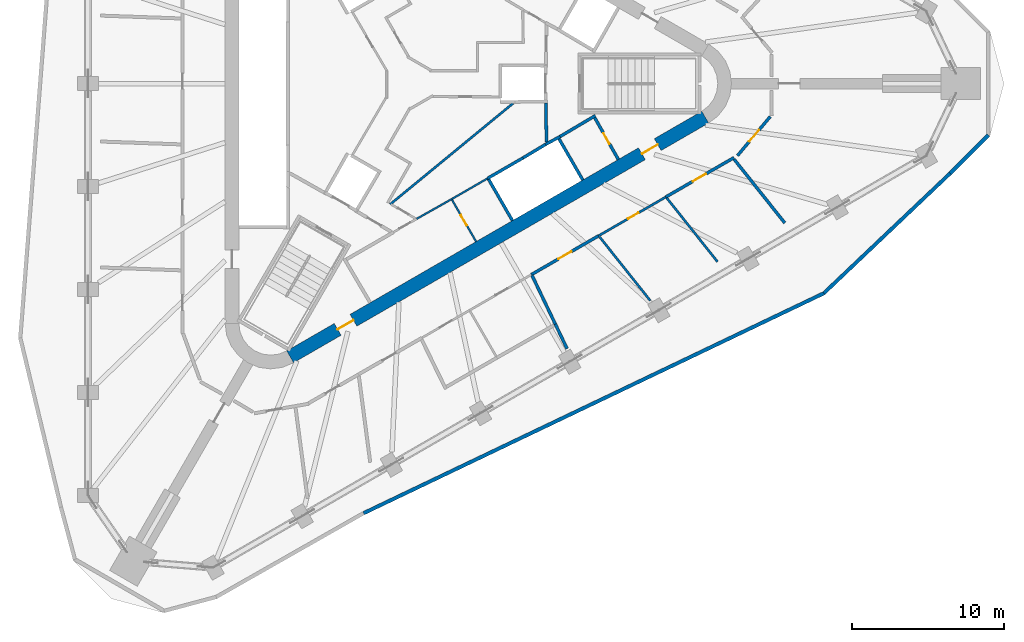
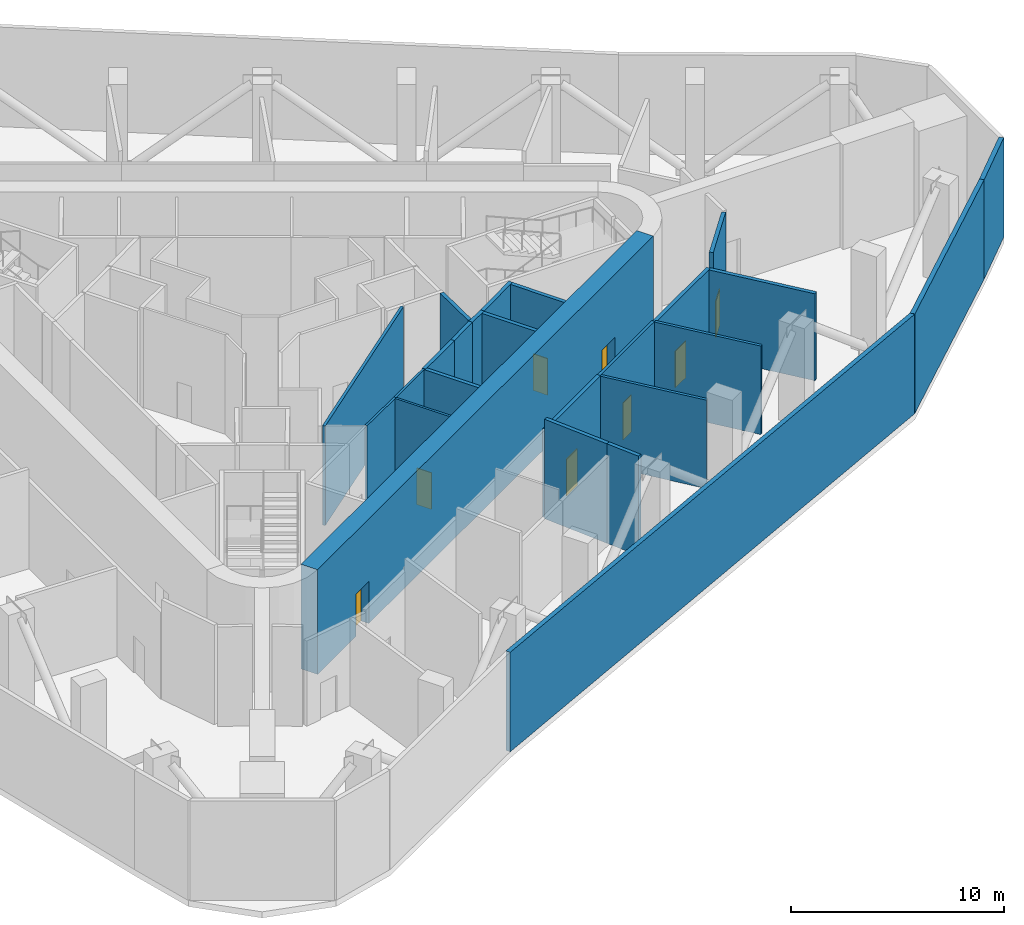
# One storey, part 4 of 12: 25 walls, 8 doors, 8 openings.
"""IFC4 building model written with IfcOpenShell, lengths in metres."""

from ifc_helpers import new_model, si_unit, direction, frame, frame_2d, origin, place, context, subcontext, project, spatial, rectangle, extrude, material, layer, layer_set, type_object, element, fill, save


model = new_model("IFC4")

# Units and contexts
model_context = context("Model", 3, precision=1e-05, world=origin(), true_north=direction((0.0, 1.0)))
body_context = subcontext(model_context, "Body", "Model", "MODEL_VIEW")
ifc_project = project(units=[si_unit("LENGTHUNIT", "METRE"), si_unit("AREAUNIT", "SQUARE_METRE"), si_unit("VOLUMEUNIT", "CUBIC_METRE"), si_unit("PLANEANGLEUNIT", "RADIAN"), si_unit("MASSUNIT", "GRAM", prefix="KILO")], contexts=[model_context])

# Site, building, storey
site_placement = place(None, origin())
site = spatial("IfcSite", under=ifc_project, at=site_placement, CompositionType="ELEMENT")
building_placement = place(site_placement, origin())
building = spatial("IfcBuilding", under=site, at=building_placement, Name="Tanit Gate Tower", CompositionType="ELEMENT")
storey_placement = place(building_placement, frame((0.0, 0.0, 292.699951171875)))
storey = spatial("IfcBuildingStorey", under=building, at=storey_placement, Name="L65", CompositionType="ELEMENT", Elevation=292.699951171875)

# Wall, openings, doors
ifc_material_1 = material(Name="Concrete C50/60", Category="concrete")
ifc_layer_1 = layer(ifc_material_1, 0.89990234375)
ifc_layer_set_1 = layer_set([ifc_layer_1], Name="CORE WALL 900 C50/60")
wall_type_1 = type_object("IfcWallType", Name="CORE WALL 900 C50/60", PredefinedType="SHEAR", material=ifc_layer_set_1)
wall_1_placement = place(storey_placement, frame((-7.824951171875, -17.969970703125, 0.0), z_axis=(0.0, 0.0, 1.0), x_axis=(0.866028369851, 0.499994862586, 0.0)))
wall_1 = element("IfcWall", 1, at=wall_1_placement, inside=storey, type_object=wall_type_1, Name="CORE WALL", PredefinedType="SHEAR", context=body_context, shape_type="SweptSolid", body=[
    extrude(rectangle(XDim=31.523193359375, YDim=0.89990234375, at=frame_2d((15.76171875, 0.0))), origin(), (0.0, 0.0, 1.0), 6.0),
])
opening_1_placement = place(wall_1_placement, frame((26.711669921875, 0.0, 0.0)))
opening_1 = element("IfcOpeningElement", 2, at=opening_1_placement, cuts=wall_1, Name="Opening F12-65-S1", PredefinedType="OPENING", context=body_context, shape_type="SweptSolid", body=[
    extrude(rectangle(XDim=1.199951171875, YDim=2.39990234375, at=frame_2d((0.60009765625, 1.199951171875))), frame((0.0, 0.4599609375, 0.0), z_axis=(0.0, -1.0, 0.0), x_axis=(1.0, 0.0, 0.0)), (0.0, 0.0, 1.0), 0.919921875),
])
opening_2_placement = place(wall_1_placement, frame((3.611572265625, 0.0, 0.0)))
opening_2 = element("IfcOpeningElement", 3, at=opening_2_placement, cuts=wall_1, Name="Opening F12-65-FL3", PredefinedType="OPENING", context=body_context, shape_type="SweptSolid", body=[
    extrude(rectangle(XDim=1.199951171875, YDim=2.39990234375, at=frame_2d((0.60009765625, 1.199951171875))), frame((0.0, 0.4599609375, 0.0), z_axis=(0.0, -1.0, 0.0), x_axis=(1.0, 0.0, 0.0)), (0.0, 0.0, 1.0), 0.919921875),
])
ifc_material_2 = material(Name="Fire-rated steel door leaf", Category="steel")
door_type_1 = type_object("IfcDoorType", Name="INT-DOOR-FIRE-LOBBY-1200", OperationType="NOTDEFINED", PredefinedType="USERDEFINED", material=ifc_material_2)
door_1_placement = place(opening_1_placement, origin())
door_1 = element("IfcDoor", 4, at=door_1_placement, inside=storey, type_object=door_type_1, Name="Door F12-65-S1", ObjectType="FIRE DOOR", OperationType="SINGLE_SWING_RIGHT", OverallHeight=2.39990234375, OverallWidth=1.199951171875, PredefinedType="USERDEFINED", context=body_context, shape_type="SweptSolid", body=[
    extrude(rectangle(XDim=1.199951171875, YDim=2.39990234375, at=frame_2d((0.60009765625, 1.199951171875))), frame((0.0, 0.02490234375, 0.0), z_axis=(0.0, -1.0, 0.0), x_axis=(1.0, 0.0, 0.0)), (0.0, 0.0, 1.0), 0.050048828125),
])
fill(opening_1, door_1)
door_2_placement = place(opening_2_placement, origin())
door_2 = element("IfcDoor", 5, at=door_2_placement, inside=storey, type_object=door_type_1, Name="Door F12-65-FL3", ObjectType="FIRE DOOR", OperationType="SINGLE_SWING_LEFT", OverallHeight=2.39990234375, OverallWidth=1.199951171875, PredefinedType="USERDEFINED", context=body_context, shape_type="SweptSolid", body=[
    extrude(rectangle(XDim=1.199951171875, YDim=2.39990234375, at=frame_2d((0.60009765625, 1.199951171875))), frame((0.0, 0.02490234375, 0.0), z_axis=(0.0, -1.0, 0.0), x_axis=(1.0, 0.0, 0.0)), (0.0, 0.0, 1.0), 0.050048828125),
])
fill(opening_2, door_2)

# Walls
ifc_material_3 = material(Name="Concrete C30/37 with bronze anodised aluminium cladding", Category="concrete")
ifc_layer_2 = layer(ifc_material_3, 0.239990234375)
ifc_layer_set_2 = layer_set([ifc_layer_2], Name="Facade wall bronze clad 240")
wall_type_2 = type_object("IfcWallType", Name="Facade wall bronze clad 240", PredefinedType="SOLIDWALL", material=ifc_layer_set_2)
wall_2_placement = place(storey_placement, frame((-2.998291015625, -28.257568359375, 0.0), z_axis=(0.0, 0.0, 1.0), x_axis=(0.902255372, 0.43120209148, 0.0)))
element("IfcWall", 6, at=wall_2_placement, inside=storey, type_object=wall_type_2, Name="Bronze-clad facade wall L65 SE2", PredefinedType="SOLIDWALL", context=body_context, shape_type="SweptSolid", body=[
    extrude(rectangle(XDim=33.547607421875, YDim=0.239990234375, at=frame_2d((16.77392578125, 0.0))), origin(), (0.0, 0.0, 1.0), 5.699951171875),
])
wall_3_placement = place(storey_placement, frame((27.270263671875, -13.791748046875, 0.0), z_axis=(0.0, 0.0, 1.0), x_axis=(0.725309719447, 0.688422697821, 0.0)))
element("IfcWall", 7, at=wall_3_placement, inside=storey, type_object=wall_type_2, Name="Bronze-clad facade wall L65 SE3", PredefinedType="SOLIDWALL", context=body_context, shape_type="SweptSolid", body=[
    extrude(rectangle(XDim=11.4501953125, YDim=0.239990234375, at=frame_2d((5.72509765625, 0.0))), origin(), (0.0, 0.0, 1.0), 5.699951171875),
])
wall_4_placement = place(storey_placement, frame((35.5751953125, -5.9091796875, 0.0), z_axis=(0.0, 0.0, 1.0), x_axis=(0.707106781187, 0.707106781187, 0.0)))
element("IfcWall", 8, at=wall_4_placement, inside=storey, type_object=wall_type_2, Name="Bronze-clad facade wall L65 E.arc1", PredefinedType="SOLIDWALL", context=body_context, shape_type="SweptSolid", body=[
    extrude(rectangle(XDim=3.5498046875, YDim=0.239990234375, at=frame_2d((1.77490234375, 0.0))), origin(), (0.0, 0.0, 1.0), 5.699951171875),
])
ifc_material_4 = material(Name="Fire-rated gypsum board partition")
ifc_layer_3 = layer(ifc_material_4, 0.199951171875)
ifc_layer_set_3 = layer_set([ifc_layer_3], Name="INT-WALL-COMPARTMENT")
wall_type_3 = type_object("IfcWallType", Name="INT-WALL-COMPARTMENT", PredefinedType="PARTITIONING", material=ifc_layer_set_3)
wall_5_placement = place(storey_placement, frame((12.244873046875, -2.10888671875, 0.0), z_axis=(0.0, 0.0, 1.0), x_axis=(-0.860414880418, -0.509594185166, 0.0)))
element("IfcWall", 9, at=wall_5_placement, inside=storey, type_object=wall_type_3, Name="Wall Compartment W065", PredefinedType="PARTITIONING", context=body_context, shape_type="SweptSolid", body=[
    extrude(rectangle(XDim=2.7001953125, YDim=0.199951171875, at=frame_2d((1.35009765625, 0.0))), origin(), (0.0, 0.0, 1.0), 5.699951171875),
])

# Wall, opening, door
wall_6_placement = place(storey_placement, frame((13.758056640625, -4.989501953125, 0.0), z_axis=(0.0, 0.0, 1.0), x_axis=(-0.491993409184, 0.87059892334, 0.0)))
wall_6 = element("IfcWall", 10, at=wall_6_placement, inside=storey, type_object=wall_type_3, Name="Wall Compartment W066", PredefinedType="PARTITIONING", context=body_context, shape_type="SweptSolid", body=[
    extrude(rectangle(XDim=3.150146484375, YDim=0.199951171875, at=frame_2d((1.5751953125, 0.0))), origin(), (0.0, 0.0, 1.0), 5.699951171875),
])
opening_3_placement = place(wall_6_placement, frame((1.175048828125, 0.0, 0.0)))
opening_3 = element("IfcOpeningElement", 11, at=opening_3_placement, cuts=wall_6, Name="Opening R08-65-20", PredefinedType="OPENING", context=body_context, shape_type="SweptSolid", body=[
    extrude(rectangle(XDim=0.800048828125, YDim=2.10009765625, at=frame_2d((0.39990234375, 1.050048828125))), frame((0.0, 0.10986328125, 0.0), z_axis=(0.0, -1.0, 0.0), x_axis=(1.0, 0.0, 0.0)), (0.0, 0.0, 1.0), 0.219970703125),
])
ifc_material_5 = material(Name="Timber door leaf", Category="wood")
door_type_2 = type_object("IfcDoorType", Name="INT-DOOR-RISER-800", OperationType="NOTDEFINED", PredefinedType="USERDEFINED", material=ifc_material_5)
door_3_placement = place(opening_3_placement, origin())
door_3 = element("IfcDoor", 12, at=door_3_placement, inside=storey, type_object=door_type_2, Name="Door R08-65-20", ObjectType="FIRE DOOR", OperationType="SINGLE_SWING_LEFT", OverallHeight=2.10009765625, OverallWidth=0.800048828125, PredefinedType="USERDEFINED", context=body_context, shape_type="SweptSolid", body=[
    extrude(rectangle(XDim=0.800048828125, YDim=2.10009765625, at=frame_2d((0.39990234375, 1.050048828125))), frame((0.0, 0.02490234375, 0.0), z_axis=(0.0, -1.0, 0.0), x_axis=(1.0, 0.0, 0.0)), (0.0, 0.0, 1.0), 0.050048828125),
])
fill(opening_3, door_3)

# Wall
wall_7_placement = place(storey_placement, frame((9.02880859375, -3.8505859375, 0.0), z_axis=(0.0, 0.0, 1.0), x_axis=(-0.010784614026, 0.999941844359, 0.0)))
element("IfcWall", 13, at=wall_7_placement, inside=storey, type_object=wall_type_3, Name="Wall Compartment W067", PredefinedType="PARTITIONING", context=body_context, shape_type="SweptSolid", body=[
    extrude(rectangle(XDim=2.580810546875, YDim=0.199951171875, at=frame_2d((1.29052734375, 0.0))), origin(), (0.0, 0.0, 1.0), 5.699951171875),
])

# Wall, opening, door
wall_8_placement = place(storey_placement, frame((8.040771484375, -12.562744140625, 0.0), z_axis=(0.0, 0.0, 1.0), x_axis=(0.866023651404, 0.500003035199, 0.0)))
wall_8 = element("IfcWall", 14, at=wall_8_placement, inside=storey, type_object=wall_type_3, Name="Wall Compartment W128", PredefinedType="PARTITIONING", context=body_context, shape_type="SweptSolid", body=[
    extrude(rectangle(XDim=5.0966796875, YDim=0.199951171875, at=frame_2d((2.54833984375, 0.0))), origin(), (0.0, 0.0, 1.0), 5.070068359375),
])
opening_4_placement = place(wall_8_placement, frame((2.0439453125, 0.0, 0.0)))
opening_4 = element("IfcOpeningElement", 15, at=opening_4_placement, cuts=wall_8, Name="Opening F10-65-38", PredefinedType="OPENING", context=body_context, shape_type="SweptSolid", body=[
    extrude(rectangle(XDim=1.0, YDim=2.10009765625, at=frame_2d((0.5, 1.050048828125))), frame((0.0, 0.10986328125, 0.0), z_axis=(0.0, -1.0, 0.0), x_axis=(1.0, 0.0, 0.0)), (0.0, 0.0, 1.0), 0.219970703125),
])
ifc_material_6 = material(Name="Fire-rated steel door leaf", Category="steel")
door_type_3 = type_object("IfcDoorType", Name="INT-DOOR-FIRE-1000", OperationType="NOTDEFINED", PredefinedType="USERDEFINED", material=ifc_material_6)
door_4_placement = place(opening_4_placement, origin())
door_4 = element("IfcDoor", 16, at=door_4_placement, inside=storey, type_object=door_type_3, Name="Door F10-65-38", ObjectType="FIRE DOOR", OperationType="SINGLE_SWING_RIGHT", OverallHeight=2.10009765625, OverallWidth=1.0, PredefinedType="USERDEFINED", context=body_context, shape_type="SweptSolid", body=[
    extrude(rectangle(XDim=1.0, YDim=2.10009765625, at=frame_2d((0.5, 1.050048828125))), frame((0.0, 0.02490234375, 0.0), z_axis=(0.0, -1.0, 0.0), x_axis=(1.0, 0.0, 0.0)), (0.0, 0.0, 1.0), 0.050048828125),
])
fill(opening_4, door_4)

wall_9_placement = place(storey_placement, frame((16.8759765625, -7.461669921875, 0.0), z_axis=(0.0, 0.0, 1.0), x_axis=(0.866025553686, 0.499999740363, 0.0)))
wall_9 = element("IfcWall", 17, at=wall_9_placement, inside=storey, type_object=wall_type_3, Name="Wall Compartment W130", PredefinedType="PARTITIONING", context=body_context, shape_type="SweptSolid", body=[
    extrude(rectangle(XDim=5.1826171875, YDim=0.199951171875, at=frame_2d((2.59130859375, 0.0))), origin(), (0.0, 0.0, 1.0), 4.97998046875),
])
opening_5_placement = place(wall_9_placement, frame((2.0498046875, 0.0, 0.0)))
opening_5 = element("IfcOpeningElement", 18, at=opening_5_placement, cuts=wall_9, Name="Opening F10-65-40", PredefinedType="OPENING", context=body_context, shape_type="SweptSolid", body=[
    extrude(rectangle(XDim=1.0, YDim=2.10009765625, at=frame_2d((0.5, 1.050048828125))), frame((0.0, 0.10986328125, 0.0), z_axis=(0.0, -1.0, 0.0), x_axis=(1.0, 0.0, 0.0)), (0.0, 0.0, 1.0), 0.219970703125),
])
door_5_placement = place(opening_5_placement, origin())
door_5 = element("IfcDoor", 19, at=door_5_placement, inside=storey, type_object=door_type_3, Name="Door F10-65-40", ObjectType="FIRE DOOR", OperationType="SINGLE_SWING_LEFT", OverallHeight=2.10009765625, OverallWidth=1.0, PredefinedType="USERDEFINED", context=body_context, shape_type="SweptSolid", body=[
    extrude(rectangle(XDim=1.0, YDim=2.10009765625, at=frame_2d((0.5, 1.050048828125))), frame((0.0, 0.02490234375, 0.0), z_axis=(0.0, -1.0, 0.0), x_axis=(1.0, 0.0, 0.0)), (0.0, 0.0, 1.0), 0.050048828125),
])
fill(opening_5, door_5)

wall_10_placement = place(storey_placement, frame((21.59619140625, -4.736328125, 0.0), z_axis=(0.0, 0.0, 1.0), x_axis=(0.642784895001, 0.766046721002, 0.0)))
wall_10 = element("IfcWall", 20, at=wall_10_placement, inside=storey, type_object=wall_type_3, Name="Wall Compartment W132", PredefinedType="PARTITIONING", context=body_context, shape_type="SweptSolid", body=[
    extrude(rectangle(XDim=3.347412109375, YDim=0.199951171875, at=frame_2d((1.673828125, 0.0))), origin(), (0.0, 0.0, 1.0), 5.699951171875),
])
opening_6_placement = place(wall_10_placement, frame((1.199951171875, 0.0, 0.0)))
opening_6 = element("IfcOpeningElement", 21, at=opening_6_placement, cuts=wall_10, Name="Opening F10-65-41", PredefinedType="OPENING", context=body_context, shape_type="SweptSolid", body=[
    extrude(rectangle(XDim=1.0, YDim=2.10009765625, at=frame_2d((0.5, 1.050048828125))), frame((0.0, 0.10986328125, 0.0), z_axis=(0.0, -1.0, 0.0), x_axis=(1.0, 0.0, 0.0)), (0.0, 0.0, 1.0), 0.219970703125),
])
door_6_placement = place(opening_6_placement, origin())
door_6 = element("IfcDoor", 22, at=door_6_placement, inside=storey, type_object=door_type_3, Name="Door F10-65-41", ObjectType="FIRE DOOR", OperationType="SINGLE_SWING_LEFT", OverallHeight=2.10009765625, OverallWidth=1.0, PredefinedType="USERDEFINED", context=body_context, shape_type="SweptSolid", body=[
    extrude(rectangle(XDim=1.0, YDim=2.10009765625, at=frame_2d((0.5, 1.050048828125))), frame((0.0, 0.02490234375, 0.0), z_axis=(0.0, -1.0, 0.0), x_axis=(1.0, 0.0, 0.0)), (0.0, 0.0, 1.0), 0.050048828125),
])
fill(opening_6, door_6)

# Walls
wall_11_placement = place(storey_placement, frame((10.38671875, -17.433837890625, 0.0), z_axis=(0.0, 0.0, 1.0), x_axis=(-0.431219922103, 0.902246850248, 0.0)))
element("IfcWall", 23, at=wall_11_placement, inside=storey, type_object=wall_type_3, Name="Wall Compartment W138", PredefinedType="PARTITIONING", context=body_context, shape_type="SweptSolid", body=[
    extrude(rectangle(XDim=1.797119140625, YDim=0.199951171875, at=frame_2d((0.8984375, 0.0))), origin(), (0.0, 0.0, 1.0), 5.699951171875),
])
wall_12_placement = place(storey_placement, frame((8.080810546875, -12.60888671875, 0.0), z_axis=(0.0, 0.0, 1.0), x_axis=(0.431190278895, -0.902261017326, 0.0)))
element("IfcWall", 24, at=wall_12_placement, inside=storey, type_object=wall_type_3, Name="Wall Compartment W140", PredefinedType="PARTITIONING", context=body_context, shape_type="SweptSolid", body=[
    extrude(rectangle(XDim=3.550537109375, YDim=0.199951171875, at=frame_2d((1.775390625, 0.0))), origin(), (0.0, 0.0, 1.0), 5.699951171875),
])
wall_13_placement = place(storey_placement, frame((21.375, -4.979736328125, 0.0), z_axis=(0.0, 0.0, 1.0), x_axis=(0.622444161938, -0.782664209779, 0.0)))
element("IfcWall", 25, at=wall_13_placement, inside=storey, type_object=wall_type_3, Name="Wall Compartment W143", PredefinedType="PARTITIONING", context=body_context, shape_type="SweptSolid", body=[
    extrude(rectangle(XDim=5.35009765625, YDim=0.199951171875, at=frame_2d((2.675048828125, 0.0))), origin(), (0.0, 0.0, 1.0), 4.97998046875),
])

# Wall, opening, door
ifc_material_7 = material(Name="Gypsum board partition")
ifc_layer_4 = layer(ifc_material_7, 0.1201171875)
ifc_layer_set_4 = layer_set([ifc_layer_4], Name="INT-WALL-PARTITION")
wall_type_4 = type_object("IfcWallType", Name="INT-WALL-PARTITION", PredefinedType="PARTITIONING", material=ifc_layer_set_4)
wall_14_placement = place(storey_placement, frame((4.40478515625, -10.389404296875, 0.0), z_axis=(0.0, 0.0, 1.0), x_axis=(-0.500017246033, 0.866015446554, 0.0)))
wall_14 = element("IfcWall", 26, at=wall_14_placement, inside=storey, type_object=wall_type_4, Name="Wall Partition W059", PredefinedType="PARTITIONING", context=body_context, shape_type="SweptSolid", body=[
    extrude(rectangle(XDim=3.25, YDim=0.1201171875, at=frame_2d((1.625, 0.0))), origin(), (0.0, 0.0, 1.0), 5.699951171875),
])
opening_7_placement = place(wall_14_placement, frame((1.22509765625, 0.0, 0.0)))
opening_7 = element("IfcOpeningElement", 27, at=opening_7_placement, cuts=wall_14, Name="Opening R08-65-19", PredefinedType="OPENING", context=body_context, shape_type="SweptSolid", body=[
    extrude(rectangle(XDim=0.800048828125, YDim=2.10009765625, at=frame_2d((0.39990234375, 1.050048828125))), frame((0.0, 0.070068359375, 0.0), z_axis=(0.0, -1.0, 0.0), x_axis=(1.0, 0.0, 0.0)), (0.0, 0.0, 1.0), 0.14013671875),
])
door_7_placement = place(opening_7_placement, origin())
door_7 = element("IfcDoor", 28, at=door_7_placement, inside=storey, type_object=door_type_2, Name="Door R08-65-19", ObjectType="FIRE DOOR", OperationType="SINGLE_SWING_LEFT", OverallHeight=2.10009765625, OverallWidth=0.800048828125, PredefinedType="USERDEFINED", context=body_context, shape_type="SweptSolid", body=[
    extrude(rectangle(XDim=0.800048828125, YDim=2.10009765625, at=frame_2d((0.39990234375, 1.050048828125))), frame((0.0, 0.02490234375, 0.0), z_axis=(0.0, -1.0, 0.0), x_axis=(1.0, 0.0, 0.0)), (0.0, 0.0, 1.0), 0.050048828125),
])
fill(opening_7, door_7)

# Walls
wall_15_placement = place(storey_placement, frame((0.4931640625, -8.896240234375, 0.0), z_axis=(0.0, 0.0, 1.0), x_axis=(0.871414386141, 0.490547620141, 0.0)))
element("IfcWall", 29, at=wall_15_placement, inside=storey, type_object=wall_type_4, Name="Wall Partition W062", PredefinedType="PARTITIONING", context=body_context, shape_type="SweptSolid", body=[
    extrude(rectangle(XDim=2.671142578125, YDim=0.1201171875, at=frame_2d((1.33544921875, 0.0))), origin(), (0.0, 0.0, 1.0), 5.699951171875),
])
wall_16_placement = place(storey_placement, frame((2.82080078125, -7.5859375, 0.0), z_axis=(0.0, 0.0, 1.0), x_axis=(0.866019956843, 0.50000943426, 0.0)))
element("IfcWall", 30, at=wall_16_placement, inside=storey, type_object=wall_type_4, Name="Wall Partition W064", PredefinedType="PARTITIONING", context=body_context, shape_type="SweptSolid", body=[
    extrude(rectangle(XDim=2.7001953125, YDim=0.1201171875, at=frame_2d((1.35009765625, 0.0))), origin(), (0.0, 0.0, 1.0), 5.699951171875),
])
ifc_material_8 = material(Name="Fire-rated gypsum board partition")
ifc_layer_5 = layer(ifc_material_8, 0.14990234375)
ifc_layer_set_5 = layer_set([ifc_layer_5], Name="INT-WALL-RISER")
wall_type_5 = type_object("IfcWallType", Name="INT-WALL-RISER", PredefinedType="PLUMBINGWALL", material=ifc_layer_set_5)
wall_17_placement = place(storey_placement, frame((6.833740234375, -1.3017578125, 0.0), z_axis=(0.0, 0.0, 1.0), x_axis=(-0.772564687607, -0.634936062499, 0.0)))
element("IfcWall", 31, at=wall_17_placement, inside=storey, type_object=wall_type_5, Name="Wall Riser W076", PredefinedType="PLUMBINGWALL", context=body_context, shape_type="SweptSolid", body=[
    extrude(rectangle(XDim=10.457275390625, YDim=0.14990234375, at=frame_2d((5.228515625, 0.0))), origin(), (0.0, 0.0, 1.0), 5.699951171875),
])

# Wall, opening, door
wall_18_placement = place(storey_placement, frame((12.45458984375, -10.014404296875, 0.0), z_axis=(0.0, 0.0, 1.0), x_axis=(0.866021539371, 0.5000066933, 0.0)))
wall_18 = element("IfcWall", 32, at=wall_18_placement, inside=storey, type_object=wall_type_5, Name="Wall Riser W129", PredefinedType="PLUMBINGWALL", context=body_context, shape_type="SweptSolid", body=[
    extrude(rectangle(XDim=5.10546875, YDim=0.14990234375, at=frame_2d((2.552734375, 0.0))), origin(), (0.0, 0.0, 1.0), 5.070068359375),
])
opening_8_placement = place(wall_18_placement, frame((2.247802734375, 0.0, 0.0)))
opening_8 = element("IfcOpeningElement", 33, at=opening_8_placement, cuts=wall_18, Name="Opening R08-65-39", PredefinedType="OPENING", context=body_context, shape_type="SweptSolid", body=[
    extrude(rectangle(XDim=0.800048828125, YDim=2.10009765625, at=frame_2d((0.39990234375, 1.050048828125))), frame((0.0, 0.0849609375, 0.0), z_axis=(0.0, -1.0, 0.0), x_axis=(1.0, 0.0, 0.0)), (0.0, 0.0, 1.0), 0.169921875),
])
door_8_placement = place(opening_8_placement, origin())
door_8 = element("IfcDoor", 34, at=door_8_placement, inside=storey, type_object=door_type_2, Name="Door R08-65-39", ObjectType="FIRE DOOR", OperationType="SINGLE_SWING_RIGHT", OverallHeight=2.10009765625, OverallWidth=0.800048828125, PredefinedType="USERDEFINED", context=body_context, shape_type="SweptSolid", body=[
    extrude(rectangle(XDim=0.800048828125, YDim=2.10009765625, at=frame_2d((0.39990234375, 1.050048828125))), frame((0.0, 0.02490234375, 0.0), z_axis=(0.0, -1.0, 0.0), x_axis=(1.0, 0.0, 0.0)), (0.0, 0.0, 1.0), 0.050048828125),
])
fill(opening_8, door_8)

# Walls
wall_19_placement = place(storey_placement, frame((15.859130859375, -14.274169921875, 0.0), z_axis=(0.0, 0.0, 1.0), x_axis=(-0.622444161938, 0.782664209779, 0.0)))
element("IfcWall", 35, at=wall_19_placement, inside=storey, type_object=wall_type_5, Name="Wall Riser W141", PredefinedType="PLUMBINGWALL", context=body_context, shape_type="SweptSolid", body=[
    extrude(rectangle(XDim=5.35009765625, YDim=0.14990234375, at=frame_2d((2.675048828125, 0.0))), origin(), (0.0, 0.0, 1.0), 5.070068359375),
])
wall_20_placement = place(storey_placement, frame((20.2822265625, -11.720703125, 0.0), z_axis=(0.0, 0.0, 1.0), x_axis=(-0.622438216908, 0.782668937759, 0.0)))
element("IfcWall", 36, at=wall_20_placement, inside=storey, type_object=wall_type_5, Name="Wall Riser W142", PredefinedType="PLUMBINGWALL", context=body_context, shape_type="SweptSolid", body=[
    extrude(rectangle(XDim=5.37548828125, YDim=0.14990234375, at=frame_2d((2.687744140625, 0.0))), origin(), (0.0, 0.0, 1.0), 5.070068359375),
])
ifc_material_9 = material(Name="Gypsum shaft wall system")
ifc_layer_6 = layer(ifc_material_9, 0.199951171875)
ifc_layer_set_6 = layer_set([ifc_layer_6], Name="INT-WALL-SHAFT")
wall_type_6 = type_object("IfcWallType", Name="INT-WALL-SHAFT", PredefinedType="PLUMBINGWALL", material=ifc_layer_set_6)
wall_21_placement = place(storey_placement, frame((6.795166015625, -9.009521484375, 0.0), z_axis=(0.0, 0.0, 1.0), x_axis=(-0.499984717929, 0.866034226713, 0.0)))
element("IfcWall", 37, at=wall_21_placement, inside=storey, type_object=wall_type_6, Name="Wall Shaft W015", PredefinedType="PLUMBINGWALL", context=body_context, shape_type="SweptSolid", body=[
    extrude(rectangle(XDim=3.25, YDim=0.199951171875, at=frame_2d((1.625, 0.0))), origin(), (0.0, 0.0, 1.0), 5.699951171875),
])
wall_22_placement = place(storey_placement, frame((5.1591796875, -6.23583984375, 0.0), z_axis=(0.0, 0.0, 1.0), x_axis=(0.866036505625, 0.499980770555, 0.0)))
element("IfcWall", 38, at=wall_22_placement, inside=storey, type_object=wall_type_6, Name="Wall Shaft W016", PredefinedType="PLUMBINGWALL", context=body_context, shape_type="SweptSolid", body=[
    extrude(rectangle(XDim=2.69970703125, YDim=0.199951171875, at=frame_2d((1.349853515625, 0.0))), origin(), (0.0, 0.0, 1.0), 5.699951171875),
])
wall_23_placement = place(storey_placement, frame((9.794677734375, -3.52490234375, 0.0), z_axis=(0.0, 0.0, 1.0), x_axis=(0.499984717929, -0.866034226713, 0.0)))
element("IfcWall", 39, at=wall_23_placement, inside=storey, type_object=wall_type_6, Name="Wall Shaft W017", PredefinedType="PLUMBINGWALL", context=body_context, shape_type="SweptSolid", body=[
    extrude(rectangle(XDim=3.25, YDim=0.199951171875, at=frame_2d((1.625, 0.0))), origin(), (0.0, 0.0, 1.0), 5.699951171875),
])
wall_24_placement = place(storey_placement, frame((8.97412109375, -3.998779296875, 0.0), z_axis=(0.0, 0.0, 1.0), x_axis=(0.880907015104, 0.473289373154, 0.0)))
element("IfcWall", 40, at=wall_24_placement, inside=storey, type_object=wall_type_6, Name="Wall Shaft W018", PredefinedType="PLUMBINGWALL", context=body_context, shape_type="SweptSolid", body=[
    extrude(rectangle(XDim=1.078125, YDim=0.199951171875, at=frame_2d((0.5390625, 0.0))), origin(), (0.0, 0.0, 1.0), 5.699951171875),
])
wall_25_placement = place(storey_placement, frame((7.497314453125, -4.885986328125, 0.0), z_axis=(0.0, 0.0, 1.0), x_axis=(0.857516281273, 0.51445682749, 0.0)))
element("IfcWall", 41, at=wall_25_placement, inside=storey, type_object=wall_type_6, Name="Wall Shaft W019", PredefinedType="PLUMBINGWALL", context=body_context, shape_type="SweptSolid", body=[
    extrude(rectangle(XDim=1.8447265625, YDim=0.199951171875, at=frame_2d((0.92236328125, 0.0))), origin(), (0.0, 0.0, 1.0), 5.699951171875),
])

save(model, "model.ifc")
